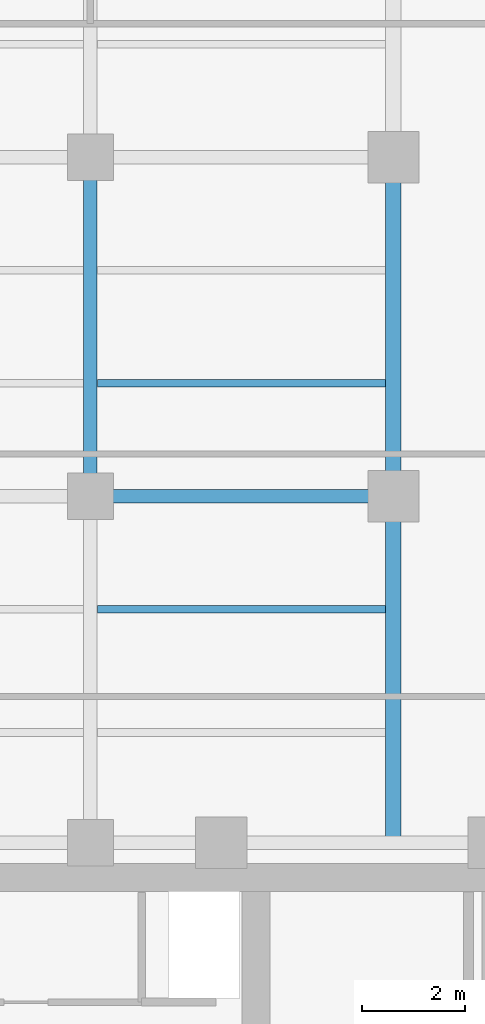
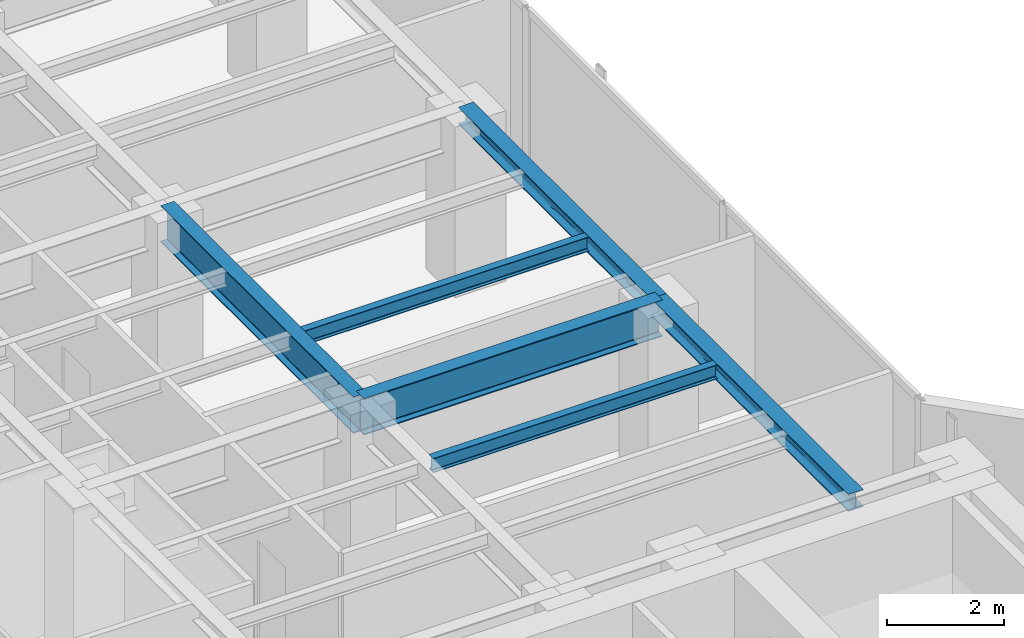
# One storey, part 9 of 23: 6 beams.
"""IFC4 building model written with IfcOpenShell, lengths in metres."""

from ifc_helpers import new_model, si_unit, direction, frame, origin, origin_2d, place, context, subcontext, project, spatial, i_section, extrude, material, material_profile, profile_set, type_object, element, save


model = new_model("IFC4")

# Units and contexts
model_context = context("Model", 3, precision=1e-05, world=origin(), true_north=direction((0.0, 1.0)))
body_context = subcontext(model_context, "Body", "Model", "MODEL_VIEW")
ifc_project = project(units=[si_unit("LENGTHUNIT", "METRE"), si_unit("AREAUNIT", "SQUARE_METRE"), si_unit("VOLUMEUNIT", "CUBIC_METRE"), si_unit("PLANEANGLEUNIT", "RADIAN"), si_unit("MASSUNIT", "GRAM", prefix="KILO")], contexts=[model_context])

# Site, building, storey
site_placement = place(None, origin())
site = spatial("IfcSite", under=ifc_project, at=site_placement, CompositionType="ELEMENT")
building_placement = place(site_placement, origin())
building = spatial("IfcBuilding", under=site, at=building_placement, Name="Kolvaren Waterfront Exchange", CompositionType="ELEMENT")
storey_placement = place(building_placement, frame((0.0, 0.0, 250.10009765625)))
storey = spatial("IfcBuildingStorey", under=building, at=storey_placement, Name="L64", CompositionType="ELEMENT", Elevation=250.10009765625)

# Beams
ifc_material = material(Name="Steel S355", Category="steel")
ifc_material_profile_1 = material_profile(ifc_material, i_section(OverallWidth=0.300048828125, OverallDepth=0.360107421875, WebThickness=0.012451171875, FlangeThickness=0.0224609375, FilletRadius=0.027099609375, at=origin_2d()), Name="HEB360")
ifc_profile_set_1 = profile_set([ifc_material_profile_1], Name="Steel S355")
beam_type_1 = type_object("IfcBeamType", Name="STR-BM-HEB360", PredefinedType="SPANDREL", material=ifc_profile_set_1)
beam_1_placement = place(storey_placement, frame((18.800048828125, 24.449951171875, 3.3798828125), z_axis=(0.0, 1.0, 0.0), x_axis=(-1.0, 0.0, 0.0)))
element("IfcBeam", 1, at=beam_1_placement, inside=storey, type_object=beam_type_1, Name="L64 north-arm edge beam 1", PredefinedType="SPANDREL", context=body_context, shape_type="SweptSolid", body=[
    extrude(i_section(OverallWidth=0.300048828125, OverallDepth=0.360107421875, WebThickness=0.012451171875, FlangeThickness=0.0224609375, FilletRadius=0.027099609375, at=origin_2d()), origin(), (0.0, 0.0, 1.0), 6.75),
])
beam_2_placement = place(storey_placement, frame((18.800048828125, 31.199951171875, 3.3798828125), z_axis=(0.0, 1.0, 0.0), x_axis=(-1.0, 0.0, 0.0)))
element("IfcBeam", 2, at=beam_2_placement, inside=storey, type_object=beam_type_1, Name="L64 north-arm edge beam 2", PredefinedType="SPANDREL", context=body_context, shape_type="SweptSolid", body=[
    extrude(i_section(OverallWidth=0.300048828125, OverallDepth=0.360107421875, WebThickness=0.012451171875, FlangeThickness=0.0224609375, FilletRadius=0.027099609375, at=origin_2d()), origin(), (0.0, 0.0, 1.0), 6.60009765625),
])
ifc_material_profile_2 = material_profile(ifc_material, i_section(OverallWidth=0.14990234375, OverallDepth=0.300048828125, WebThickness=0.007080078125, FlangeThickness=0.0107421875, FilletRadius=0.014892578125, at=origin_2d()), Name="IPE300")
ifc_profile_set_2 = profile_set([ifc_material_profile_2], Name="Steel S355")
beam_type_2 = type_object("IfcBeamType", Name="STR-BM-IPE300", PredefinedType="JOIST", material=ifc_profile_set_2)
for number, where, z_axis, x_axis, name in (
    (3, (13.035400390625, 29.0, 3.409912109375), (1.0, 0.0, 0.0), (0.0, 1.0, 0.0), "L64 north-arm composite joist 2B"),
    (4, (13.035400390625, 33.39990234375, 3.409912109375), (1.0, 0.0, 0.0), (0.0, 1.0, 0.0), "L64 north-arm composite joist 3B"),
):
    element("IfcBeam", number, at=place(storey_placement, frame(where, z_axis=z_axis, x_axis=x_axis)), inside=storey, type_object=beam_type_2, Name=name, PredefinedType="JOIST", context=body_context, shape_type="SweptSolid", body=[
        extrude(i_section(OverallWidth=0.14990234375, OverallDepth=0.300048828125, WebThickness=0.007080078125, FlangeThickness=0.0107421875, FilletRadius=0.014892578125, at=origin_2d()), origin(), (0.0, 0.0, 1.0), 5.612548828125),
    ])
ifc_material_profile_3 = material_profile(ifc_material, i_section(OverallWidth=0.26708984375, OverallDepth=0.761962890625, WebThickness=0.014404296875, FlangeThickness=0.021484375, FilletRadius=0.01708984375, at=origin_2d()), Name="IPE750x173")
ifc_profile_set_3 = profile_set([ifc_material_profile_3], Name="Steel S355")
beam_type_3 = type_object("IfcBeamType", Name="STR-BM-IPE750", PredefinedType="BEAM", material=ifc_profile_set_3)
beam_3_placement = place(storey_placement, frame((12.89990234375, 31.199951171875, 3.178955078125), z_axis=(1.0, 0.0, 0.0), x_axis=(0.0, 1.0, 0.0)))
element("IfcBeam", 5, at=beam_3_placement, inside=storey, type_object=beam_type_3, Name="L64 north-arm girder 2B", PredefinedType="BEAM", context=body_context, shape_type="SweptSolid", body=[
    extrude(i_section(OverallWidth=0.26708984375, OverallDepth=0.761962890625, WebThickness=0.014404296875, FlangeThickness=0.021484375, FilletRadius=0.01708984375, at=origin_2d()), origin(), (0.0, 0.0, 1.0), 5.900146484375),
])
beam_4_placement = place(storey_placement, frame((12.89990234375, 31.199951171875, 3.178955078125), z_axis=(0.0, 1.0, 0.0), x_axis=(-1.0, 0.0, 0.0)))
element("IfcBeam", 6, at=beam_4_placement, inside=storey, type_object=beam_type_3, Name="L64 north-arm edge beam 2", PredefinedType="BEAM", context=body_context, shape_type="SweptSolid", body=[
    extrude(i_section(OverallWidth=0.26708984375, OverallDepth=0.761962890625, WebThickness=0.014404296875, FlangeThickness=0.021484375, FilletRadius=0.01708984375, at=origin_2d()), origin(), (0.0, 0.0, 1.0), 6.60009765625),
])

save(model, "model.ifc")
